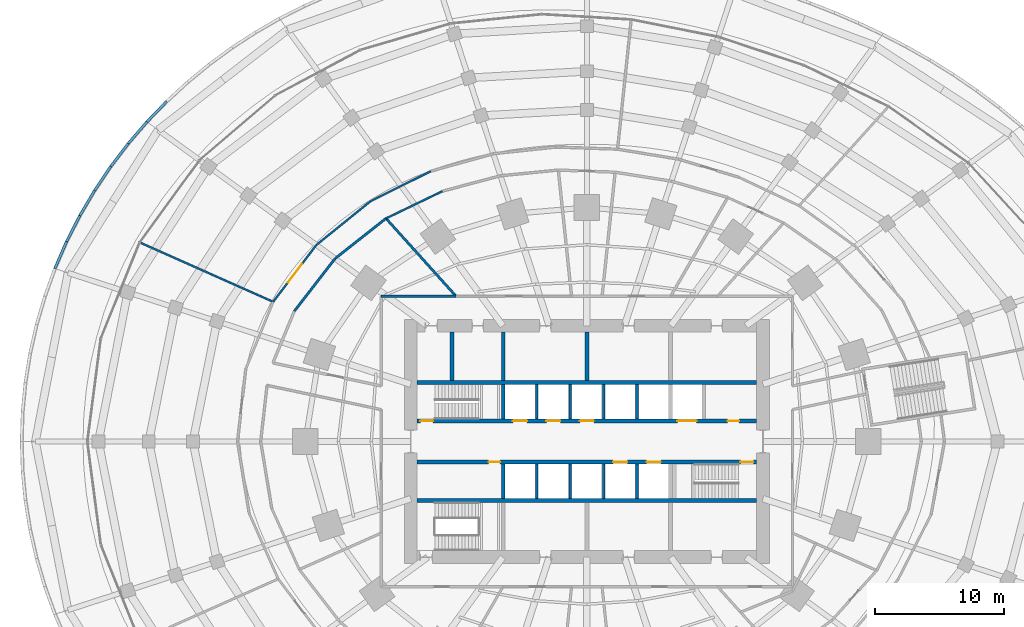
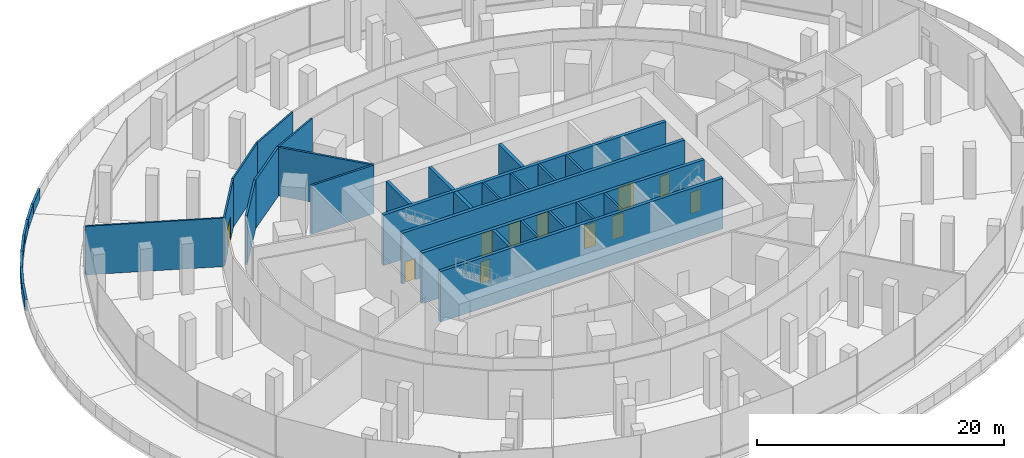
# One storey, part 24 of 31: 33 walls, 11 doors, 11 openings.
"""IFC4 building model written with IfcOpenShell, lengths in metres."""

from ifc_helpers import new_model, si_unit, direction, frame, frame_2d, origin, place, context, subcontext, project, spatial, rectangle, extrude, material, layer, layer_set, type_object, element, fill, save


model = new_model("IFC4")

# Units and contexts
model_context = context("Model", 3, precision=1e-05, world=origin(), true_north=direction((0.0, 1.0)))
body_context = subcontext(model_context, "Body", "Model", "MODEL_VIEW")
ifc_project = project(units=[si_unit("LENGTHUNIT", "METRE"), si_unit("AREAUNIT", "SQUARE_METRE"), si_unit("VOLUMEUNIT", "CUBIC_METRE"), si_unit("PLANEANGLEUNIT", "RADIAN"), si_unit("MASSUNIT", "GRAM", prefix="KILO")], contexts=[model_context])

# Site, building, storey
site_placement = place(None, origin())
site = spatial("IfcSite", under=ifc_project, at=site_placement, CompositionType="ELEMENT")
building_placement = place(site_placement, origin())
building = spatial("IfcBuilding", under=site, at=building_placement, Name="Marramba Exchange Tower", CompositionType="ELEMENT")
storey_placement = place(building_placement, frame((0.0, 0.0, 5.60009765625)))
storey = spatial("IfcBuildingStorey", under=building, at=storey_placement, Name="L01", CompositionType="ELEMENT", Elevation=5.60009765625)

# Walls
ifc_material_1 = material(Name="Concrete N50", Category="concrete")
ifc_layer_1 = layer(ifc_material_1, 0.199951171875)
ifc_layer_set_1 = layer_set([ifc_layer_1], Name="Core shaft wall 200")
wall_type_1 = type_object("IfcWallType", Name="Core shaft wall 200", PredefinedType="SHEAR", material=ifc_layer_set_1)
for number, where, z_axis, x_axis, name in (
    (1, (-3.89990234375, 1.75, 0.0), (0.0, 0.0, 1.0), (0.0, 1.0, 0.0), "Core wall SHN1 L01"),
    (2, (-1.300048828125, 1.75, 0.0), (0.0, 0.0, 1.0), (0.0, 1.0, 0.0), "Core wall SHN2 L01"),
    (3, (1.300048828125, 1.75, 0.0), (0.0, 0.0, 1.0), (0.0, 1.0, 0.0), "Core wall SHN3 L01"),
    (4, (3.89990234375, 1.75, 0.0), (0.0, 0.0, 1.0), (0.0, 1.0, 0.0), "Core wall SHN4 L01"),
    (5, (-3.89990234375, -1.75, 0.0), (0.0, 0.0, 1.0), (0.0, -1.0, 0.0), "Core wall SHS1 L01"),
    (6, (-1.300048828125, -1.75, 0.0), (0.0, 0.0, 1.0), (0.0, -1.0, 0.0), "Core wall SHS2 L01"),
    (7, (1.300048828125, -1.75, 0.0), (0.0, 0.0, 1.0), (0.0, -1.0, 0.0), "Core wall SHS3 L01"),
    (8, (3.89990234375, -1.75, 0.0), (0.0, 0.0, 1.0), (0.0, -1.0, 0.0), "Core wall SHS4 L01"),
):
    element("IfcWall", number, at=place(storey_placement, frame(where, z_axis=z_axis, x_axis=x_axis)), inside=storey, type_object=wall_type_1, Name=name, PredefinedType="SHEAR", context=body_context, shape_type="SweptSolid", body=[
        extrude(rectangle(XDim=2.699951171875, YDim=0.199951171875, at=frame_2d((1.35009765625, 0.0))), origin(), (0.0, 0.0, 1.0), 5.0),
    ])

# Wall, openings, doors
ifc_layer_2 = layer(ifc_material_1, 0.300048828125)
ifc_layer_set_2 = layer_set([ifc_layer_2], Name="Core wall 300")
wall_type_2 = type_object("IfcWallType", Name="Core wall 300", PredefinedType="SHEAR", material=ifc_layer_set_2)
wall_1_placement = place(storey_placement, frame((-13.199951171875, 1.60009765625, 0.0), z_axis=(0.0, 0.0, 1.0), x_axis=(1.0, 0.0, 0.0)))
wall_1 = element("IfcWall", 9, at=wall_1_placement, inside=storey, type_object=wall_type_2, Name="Core wall LN L01", PredefinedType="SHEAR", context=body_context, shape_type="SweptSolid", body=[
    extrude(rectangle(XDim=26.39990234375, YDim=0.300048828125, at=frame_2d((13.199951171875, 0.0))), origin(), (0.0, 0.0, 1.0), 5.0),
])
opening_1_placement = place(wall_1_placement, frame((0.25, 0.0, 0.0)))
opening_1 = element("IfcOpeningElement", 10, at=opening_1_placement, cuts=wall_1, Name="Opening D2", PredefinedType="OPENING", context=body_context, shape_type="SweptSolid", body=[
    extrude(rectangle(XDim=1.0, YDim=2.10009765625, at=frame_2d((0.5, 1.050048828125))), frame((0.0, 0.159912109375, 0.0), z_axis=(0.0, -1.0, 0.0), x_axis=(1.0, 0.0, 0.0)), (0.0, 0.0, 1.0), 0.320068359375),
])
opening_2_placement = place(wall_1_placement, frame((20.25, 0.0, 0.0)))
opening_2 = element("IfcOpeningElement", 11, at=opening_2_placement, cuts=wall_1, Name="Opening LD3", PredefinedType="OPENING", context=body_context, shape_type="SweptSolid", body=[
    extrude(rectangle(XDim=1.5, YDim=2.39990234375, at=frame_2d((0.75, 1.199951171875))), frame((0.0, 0.159912109375, 0.0), z_axis=(0.0, -1.0, 0.0), x_axis=(1.0, 0.0, 0.0)), (0.0, 0.0, 1.0), 0.320068359375),
])
opening_3_placement = place(wall_1_placement, frame((7.449951171875, 0.0, 0.0)))
opening_3 = element("IfcOpeningElement", 12, at=opening_3_placement, cuts=wall_1, Name="Opening LD1", PredefinedType="OPENING", context=body_context, shape_type="SweptSolid", body=[
    extrude(rectangle(XDim=1.10009765625, YDim=2.300048828125, at=frame_2d((0.550048828125, 1.14990234375))), frame((0.0, 0.159912109375, 0.0), z_axis=(0.0, -1.0, 0.0), x_axis=(1.0, 0.0, 0.0)), (0.0, 0.0, 1.0), 0.320068359375),
])
opening_4_placement = place(wall_1_placement, frame((10.050048828125, 0.0, 0.0)))
opening_4 = element("IfcOpeningElement", 13, at=opening_4_placement, cuts=wall_1, Name="Opening LD1", PredefinedType="OPENING", context=body_context, shape_type="SweptSolid", body=[
    extrude(rectangle(XDim=1.10009765625, YDim=2.300048828125, at=frame_2d((0.550048828125, 1.14990234375))), frame((0.0, 0.159912109375, 0.0), z_axis=(0.0, -1.0, 0.0), x_axis=(1.0, 0.0, 0.0)), (0.0, 0.0, 1.0), 0.320068359375),
])
opening_5_placement = place(wall_1_placement, frame((12.64990234375, 0.0, 0.0)))
opening_5 = element("IfcOpeningElement", 14, at=opening_5_placement, cuts=wall_1, Name="Opening LD1", PredefinedType="OPENING", context=body_context, shape_type="SweptSolid", body=[
    extrude(rectangle(XDim=1.10009765625, YDim=2.300048828125, at=frame_2d((0.550048828125, 1.14990234375))), frame((0.0, 0.159912109375, 0.0), z_axis=(0.0, -1.0, 0.0), x_axis=(1.0, 0.0, 0.0)), (0.0, 0.0, 1.0), 0.320068359375),
])
opening_6_placement = place(wall_1_placement, frame((24.14990234375, 0.0, 0.0)))
opening_6 = element("IfcOpeningElement", 15, at=opening_6_placement, cuts=wall_1, Name="Opening D5", PredefinedType="OPENING", context=body_context, shape_type="SweptSolid", body=[
    extrude(rectangle(XDim=0.89990234375, YDim=2.10009765625, at=frame_2d((0.449951171875, 1.050048828125))), frame((0.0, 0.159912109375, 0.0), z_axis=(0.0, -1.0, 0.0), x_axis=(1.0, 0.0, 0.0)), (0.0, 0.0, 1.0), 0.320068359375),
])
ifc_material_2 = material(Name="Steel-framed door", Category="steel")
door_type_1 = type_object("IfcDoorType", Name="Goods lift landing door 1500x2400", OperationType="SLIDING_TO_LEFT", PredefinedType="DOOR", material=ifc_material_2)
door_1_placement = place(opening_2_placement, origin())
door_1 = element("IfcDoor", 16, at=door_1_placement, inside=storey, type_object=door_type_1, Name="GL1 landing door L01", OperationType="SLIDING_TO_LEFT", OverallHeight=2.39990234375, OverallWidth=1.5, PredefinedType="DOOR", context=body_context, shape_type="SweptSolid", body=[
    extrude(rectangle(XDim=1.5, YDim=2.39990234375, at=frame_2d((0.75, 1.199951171875))), frame((0.0, 0.02490234375, 0.0), z_axis=(0.0, -1.0, 0.0), x_axis=(1.0, 0.0, 0.0)), (0.0, 0.0, 1.0), 0.050048828125),
])
fill(opening_2, door_1)
door_type_2 = type_object("IfcDoorType", Name="Lift landing door 1100x2300", OperationType="SLIDING_TO_LEFT", PredefinedType="DOOR", material=ifc_material_2)
door_2_placement = place(opening_3_placement, origin())
door_2 = element("IfcDoor", 17, at=door_2_placement, inside=storey, type_object=door_type_2, Name="LA1 landing door L01", OperationType="SLIDING_TO_LEFT", OverallHeight=2.300048828125, OverallWidth=1.10009765625, PredefinedType="DOOR", context=body_context, shape_type="SweptSolid", body=[
    extrude(rectangle(XDim=1.10009765625, YDim=2.300048828125, at=frame_2d((0.550048828125, 1.14990234375))), frame((0.0, 0.02490234375, 0.0), z_axis=(0.0, -1.0, 0.0), x_axis=(1.0, 0.0, 0.0)), (0.0, 0.0, 1.0), 0.050048828125),
])
fill(opening_3, door_2)
door_3_placement = place(opening_4_placement, origin())
door_3 = element("IfcDoor", 18, at=door_3_placement, inside=storey, type_object=door_type_2, Name="LA2 landing door L01", OperationType="SLIDING_TO_LEFT", OverallHeight=2.300048828125, OverallWidth=1.10009765625, PredefinedType="DOOR", context=body_context, shape_type="SweptSolid", body=[
    extrude(rectangle(XDim=1.10009765625, YDim=2.300048828125, at=frame_2d((0.550048828125, 1.14990234375))), frame((0.0, 0.02490234375, 0.0), z_axis=(0.0, -1.0, 0.0), x_axis=(1.0, 0.0, 0.0)), (0.0, 0.0, 1.0), 0.050048828125),
])
fill(opening_4, door_3)
door_4_placement = place(opening_5_placement, origin())
door_4 = element("IfcDoor", 19, at=door_4_placement, inside=storey, type_object=door_type_2, Name="LA3 landing door L01", OperationType="SLIDING_TO_RIGHT", OverallHeight=2.300048828125, OverallWidth=1.10009765625, PredefinedType="DOOR", context=body_context, shape_type="SweptSolid", body=[
    extrude(rectangle(XDim=1.10009765625, YDim=2.300048828125, at=frame_2d((0.550048828125, 1.14990234375))), frame((0.0, 0.02490234375, 0.0), z_axis=(0.0, -1.0, 0.0), x_axis=(1.0, 0.0, 0.0)), (0.0, 0.0, 1.0), 0.050048828125),
])
fill(opening_5, door_4)
door_type_3 = type_object("IfcDoorType", Name="Service door 900x2100", OperationType="SINGLE_SWING_LEFT", PredefinedType="DOOR", material=ifc_material_2)
door_5_placement = place(opening_6_placement, origin())
door_5 = element("IfcDoor", 20, at=door_5_placement, inside=storey, type_object=door_type_3, Name="D5 riser L01", OperationType="SINGLE_SWING_RIGHT", OverallHeight=2.10009765625, OverallWidth=0.89990234375, PredefinedType="DOOR", context=body_context, shape_type="SweptSolid", body=[
    extrude(rectangle(XDim=0.89990234375, YDim=2.10009765625, at=frame_2d((0.449951171875, 1.050048828125))), frame((0.0, 0.02490234375, 0.0), z_axis=(0.0, -1.0, 0.0), x_axis=(1.0, 0.0, 0.0)), (0.0, 0.0, 1.0), 0.050048828125),
])
fill(opening_6, door_5)
door_type_4 = type_object("IfcDoorType", Name="Stair door 1000x2100", OperationType="SINGLE_SWING_LEFT", PredefinedType="DOOR", material=ifc_material_2)
door_6_placement = place(opening_1_placement, origin())
door_6 = element("IfcDoor", 21, at=door_6_placement, inside=storey, type_object=door_type_4, Name="D2 stair ST1 L01", OperationType="SINGLE_SWING_LEFT", OverallHeight=2.10009765625, OverallWidth=1.0, PredefinedType="DOOR", context=body_context, shape_type="SweptSolid", body=[
    extrude(rectangle(XDim=1.0, YDim=2.10009765625, at=frame_2d((0.5, 1.050048828125))), frame((0.0, 0.02490234375, 0.0), z_axis=(0.0, -1.0, 0.0), x_axis=(1.0, 0.0, 0.0)), (0.0, 0.0, 1.0), 0.050048828125),
])
fill(opening_1, door_6)

wall_2_placement = place(storey_placement, frame((-13.199951171875, -1.60009765625, 0.0), z_axis=(0.0, 0.0, 1.0), x_axis=(1.0, 0.0, 0.0)))
wall_2 = element("IfcWall", 22, at=wall_2_placement, inside=storey, type_object=wall_type_2, Name="Core wall LS L01", PredefinedType="SHEAR", context=body_context, shape_type="SweptSolid", body=[
    extrude(rectangle(XDim=26.39990234375, YDim=0.300048828125, at=frame_2d((13.199951171875, 0.0))), origin(), (0.0, 0.0, 1.0), 5.0),
])
opening_7_placement = place(wall_2_placement, frame((25.14990234375, 0.0, 0.0)))
opening_7 = element("IfcOpeningElement", 23, at=opening_7_placement, cuts=wall_2, Name="Opening D2", PredefinedType="OPENING", context=body_context, shape_type="SweptSolid", body=[
    extrude(rectangle(XDim=1.0, YDim=2.10009765625, at=frame_2d((0.5, 1.050048828125))), frame((0.0, 0.159912109375, 0.0), z_axis=(0.0, -1.0, 0.0), x_axis=(1.0, 0.0, 0.0)), (0.0, 0.0, 1.0), 0.320068359375),
])
opening_8_placement = place(wall_2_placement, frame((15.25, 0.0, 0.0)))
opening_8 = element("IfcOpeningElement", 24, at=opening_8_placement, cuts=wall_2, Name="Opening LD2", PredefinedType="OPENING", context=body_context, shape_type="SweptSolid", body=[
    extrude(rectangle(XDim=1.10009765625, YDim=2.300048828125, at=frame_2d((0.550048828125, 1.14990234375))), frame((0.0, 0.159912109375, 0.0), z_axis=(0.0, -1.0, 0.0), x_axis=(1.0, 0.0, 0.0)), (0.0, 0.0, 1.0), 0.320068359375),
])
opening_9_placement = place(wall_2_placement, frame((17.85009765625, 0.0, 0.0)))
opening_9 = element("IfcOpeningElement", 25, at=opening_9_placement, cuts=wall_2, Name="Opening LD2", PredefinedType="OPENING", context=body_context, shape_type="SweptSolid", body=[
    extrude(rectangle(XDim=1.10009765625, YDim=2.300048828125, at=frame_2d((0.550048828125, 1.14990234375))), frame((0.0, 0.159912109375, 0.0), z_axis=(0.0, -1.0, 0.0), x_axis=(1.0, 0.0, 0.0)), (0.0, 0.0, 1.0), 0.320068359375),
])
opening_10_placement = place(wall_2_placement, frame((5.550048828125, 0.0, 0.0)))
opening_10 = element("IfcOpeningElement", 26, at=opening_10_placement, cuts=wall_2, Name="Opening D5", PredefinedType="OPENING", context=body_context, shape_type="SweptSolid", body=[
    extrude(rectangle(XDim=0.89990234375, YDim=2.10009765625, at=frame_2d((0.449951171875, 1.050048828125))), frame((0.0, 0.159912109375, 0.0), z_axis=(0.0, -1.0, 0.0), x_axis=(1.0, 0.0, 0.0)), (0.0, 0.0, 1.0), 0.320068359375),
])
door_type_5 = type_object("IfcDoorType", Name="Emergency lift landing door 1100x2300", OperationType="SLIDING_TO_LEFT", PredefinedType="DOOR", material=ifc_material_2)
door_7_placement = place(opening_8_placement, frame((1.10009765625, 0.0, 0.0), z_axis=(0.0, 0.0, 1.0), x_axis=(-1.0, 0.0, 0.0)))
door_7 = element("IfcDoor", 27, at=door_7_placement, inside=storey, type_object=door_type_5, Name="FL1 landing door L01", OperationType="SLIDING_TO_RIGHT", OverallHeight=2.300048828125, OverallWidth=1.10009765625, PredefinedType="DOOR", context=body_context, shape_type="SweptSolid", body=[
    extrude(rectangle(XDim=1.10009765625, YDim=2.300048828125, at=frame_2d((0.550048828125, 1.14990234375))), frame((0.0, 0.025146484375, 0.0), z_axis=(0.0, -1.0, 0.0), x_axis=(1.0, 0.0, 0.0)), (0.0, 0.0, 1.0), 0.050048828125),
])
fill(opening_8, door_7)
door_8_placement = place(opening_9_placement, frame((1.10009765625, 0.0, 0.0), z_axis=(0.0, 0.0, 1.0), x_axis=(-1.0, 0.0, 0.0)))
door_8 = element("IfcDoor", 28, at=door_8_placement, inside=storey, type_object=door_type_5, Name="FL2 landing door L01", OperationType="SLIDING_TO_LEFT", OverallHeight=2.300048828125, OverallWidth=1.10009765625, PredefinedType="DOOR", context=body_context, shape_type="SweptSolid", body=[
    extrude(rectangle(XDim=1.10009765625, YDim=2.300048828125, at=frame_2d((0.550048828125, 1.14990234375))), frame((0.0, 0.025146484375, 0.0), z_axis=(0.0, -1.0, 0.0), x_axis=(1.0, 0.0, 0.0)), (0.0, 0.0, 1.0), 0.050048828125),
])
fill(opening_9, door_8)
door_9_placement = place(opening_10_placement, frame((0.89990234375, 0.0, 0.0), z_axis=(0.0, 0.0, 1.0), x_axis=(-1.0, 0.0, 0.0)))
door_9 = element("IfcDoor", 29, at=door_9_placement, inside=storey, type_object=door_type_3, Name="D5 electrical riser L01", OperationType="SINGLE_SWING_LEFT", OverallHeight=2.10009765625, OverallWidth=0.89990234375, PredefinedType="DOOR", context=body_context, shape_type="SweptSolid", body=[
    extrude(rectangle(XDim=0.89990234375, YDim=2.10009765625, at=frame_2d((0.449951171875, 1.050048828125))), frame((0.0, 0.025146484375, 0.0), z_axis=(0.0, -1.0, 0.0), x_axis=(1.0, 0.0, 0.0)), (0.0, 0.0, 1.0), 0.050048828125),
])
fill(opening_10, door_9)
door_10_placement = place(opening_7_placement, frame((1.0, 0.0, 0.0), z_axis=(0.0, 0.0, 1.0), x_axis=(-1.0, 0.0, 0.0)))
door_10 = element("IfcDoor", 30, at=door_10_placement, inside=storey, type_object=door_type_4, Name="D2 stair ST2 L01", OperationType="SINGLE_SWING_LEFT", OverallHeight=2.10009765625, OverallWidth=1.0, PredefinedType="DOOR", context=body_context, shape_type="SweptSolid", body=[
    extrude(rectangle(XDim=1.0, YDim=2.10009765625, at=frame_2d((0.5, 1.050048828125))), frame((0.0, 0.025146484375, 0.0), z_axis=(0.0, -1.0, 0.0), x_axis=(1.0, 0.0, 0.0)), (0.0, 0.0, 1.0), 0.050048828125),
])
fill(opening_7, door_10)

# Walls
for number, where, z_axis, x_axis, name in (
    (31, (-13.199951171875, 4.60009765625, 0.0), (0.0, 0.0, 1.0), (1.0, 0.0, 0.0), "Core wall BN L01"),
    (32, (-13.199951171875, -4.60009765625, 0.0), (0.0, 0.0, 1.0), (1.0, 0.0, 0.0), "Core wall BS L01"),
):
    element("IfcWall", number, at=place(storey_placement, frame(where, z_axis=z_axis, x_axis=x_axis)), inside=storey, type_object=wall_type_2, Name=name, PredefinedType="SHEAR", context=body_context, shape_type="SweptSolid", body=[
        extrude(rectangle(XDim=26.39990234375, YDim=0.300048828125, at=frame_2d((13.199951171875, 0.0))), origin(), (0.0, 0.0, 1.0), 5.0),
    ])
wall_3_placement = place(storey_placement, frame((-6.5, 1.75, 0.0), z_axis=(0.0, 0.0, 1.0), x_axis=(0.0, 1.0, 0.0)))
element("IfcWall", 33, at=wall_3_placement, inside=storey, type_object=wall_type_2, Name="Core wall X0Na L01", PredefinedType="SHEAR", context=body_context, shape_type="SweptSolid", body=[
    extrude(rectangle(XDim=2.699951171875, YDim=0.300048828125, at=frame_2d((1.35009765625, 0.0))), origin(), (0.0, 0.0, 1.0), 5.0),
])
for number, where, z_axis, x_axis, name in (
    (34, (-6.5, 4.75, 0.0), (0.0, 0.0, 1.0), (0.0, 1.0, 0.0), "Core wall X0Nb L01"),
    (35, (0.0, 4.75, 0.0), (0.0, 0.0, 1.0), (0.0, 1.0, 0.0), "Core wall MN L01"),
):
    element("IfcWall", number, at=place(storey_placement, frame(where, z_axis=z_axis, x_axis=x_axis)), inside=storey, type_object=wall_type_2, Name=name, PredefinedType="SHEAR", context=body_context, shape_type="SweptSolid", body=[
        extrude(rectangle(XDim=3.75, YDim=0.300048828125, at=frame_2d((1.875, 0.0))), origin(), (0.0, 0.0, 1.0), 5.0),
    ])
wall_4_placement = place(storey_placement, frame((-6.5, -1.75, 0.0), z_axis=(0.0, 0.0, 1.0), x_axis=(0.0, -1.0, 0.0)))
element("IfcWall", 36, at=wall_4_placement, inside=storey, type_object=wall_type_2, Name="Core wall X0Sa L01", PredefinedType="SHEAR", context=body_context, shape_type="SweptSolid", body=[
    extrude(rectangle(XDim=2.699951171875, YDim=0.300048828125, at=frame_2d((1.35009765625, 0.0))), origin(), (0.0, 0.0, 1.0), 5.0),
])
wall_5_placement = place(storey_placement, frame((-10.5, 4.75, 0.0), z_axis=(0.0, 0.0, 1.0), x_axis=(0.0, 1.0, 0.0)))
element("IfcWall", 37, at=wall_5_placement, inside=storey, type_object=wall_type_2, Name="Core wall WD L01", PredefinedType="SHEAR", context=body_context, shape_type="SweptSolid", body=[
    extrude(rectangle(XDim=3.75, YDim=0.300048828125, at=frame_2d((1.875, 0.0))), origin(), (0.0, 0.0, 1.0), 5.0),
])
ifc_material_3 = material(Name="Core-filled concrete blockwork, rendered", Category="masonry")
ifc_layer_3 = layer(ifc_material_3, 0.18994140625)
ifc_layer_set_3 = layer_set([ifc_layer_3], Name="Equipment room wall 190")
wall_type_3 = type_object("IfcWallType", Name="Equipment room wall 190", PredefinedType="SOLIDWALL", material=ifc_layer_set_3)
wall_6_placement = place(storey_placement, frame((-10.174560546875, 11.300048828125, 0.0), z_axis=(0.0, 0.0, 1.0), x_axis=(-0.669125325145, 0.74314958067, 0.0)))
element("IfcWall", 38, at=wall_6_placement, inside=storey, type_object=wall_type_3, Name="Equipment room wall L01 87", PredefinedType="SOLIDWALL", context=body_context, shape_type="SweptSolid", body=[
    extrude(rectangle(XDim=8.146240234375, YDim=0.18994140625, at=frame_2d((4.0732421875, 0.0))), origin(), (0.0, 0.0, 1.0), 4.7998046875),
])
wall_7_placement = place(storey_placement, frame((-19.587158203125, 14.230712890625, 0.0), z_axis=(0.0, 0.0, 1.0), x_axis=(0.785301291608, 0.619113787117, 0.0)))
element("IfcWall", 39, at=wall_7_placement, inside=storey, type_object=wall_type_3, Name="Equipment room wall L01 89", PredefinedType="SOLIDWALL", context=body_context, shape_type="SweptSolid", body=[
    extrude(rectangle(XDim=5.044677734375, YDim=0.18994140625, at=frame_2d((2.5224609375, 0.0))), origin(), (0.0, 0.0, 1.0), 4.7998046875),
])
wall_8_placement = place(storey_placement, frame((-10.174560546875, 11.300048828125, 0.0), z_axis=(0.0, 0.0, 1.0), x_axis=(-1.0, 0.0, 0.0)))
element("IfcWall", 40, at=wall_8_placement, inside=storey, type_object=wall_type_3, Name="Equipment room wall L01 90", PredefinedType="SOLIDWALL", context=body_context, shape_type="SweptSolid", body=[
    extrude(rectangle(XDim=5.825439453125, YDim=0.18994140625, at=frame_2d((2.91259765625, 0.0))), origin(), (0.0, 0.0, 1.0), 4.7998046875),
])
wall_9_placement = place(storey_placement, frame((-22.760498046875, 10.133544921875, 0.0), z_axis=(0.0, 0.0, 1.0), x_axis=(0.612334708693, 0.790598636812, 0.0)))
element("IfcWall", 41, at=wall_9_placement, inside=storey, type_object=wall_type_3, Name="Equipment room wall L01 92", PredefinedType="SOLIDWALL", context=body_context, shape_type="SweptSolid", body=[
    extrude(rectangle(XDim=5.182373046875, YDim=0.18994140625, at=frame_2d((2.59130859375, 0.0))), origin(), (0.0, 0.0, 1.0), 4.7998046875),
])
ifc_material_4 = material(Name="Concrete N40", Category="concrete")
ifc_layer_4 = layer(ifc_material_4, 0.199951171875)
ifc_layer_set_4 = layer_set([ifc_layer_4], Name="Roof parapet 200")
wall_type_4 = type_object("IfcWallType", Name="Roof parapet 200", PredefinedType="PARAPET", material=ifc_layer_set_4)
wall_10_placement = place(storey_placement, frame((-32.68115234375, 26.464599609375, 0.0), z_axis=(0.0, 0.0, 1.0), x_axis=(-0.69491987314, -0.719087178244, 0.0)))
element("IfcWall", 42, at=wall_10_placement, inside=storey, type_object=wall_type_4, Name="Parapet L01 bay 08", PredefinedType="PARAPET", context=body_context, shape_type="SweptSolid", body=[
    extrude(rectangle(XDim=2.222412109375, YDim=0.199951171875, at=frame_2d((1.111328125, 0.0))), origin(), (0.0, 0.0, 1.0), 1.099853515625),
])
wall_11_placement = place(storey_placement, frame((-34.2255859375, 24.866455078125, 0.0), z_axis=(0.0, 0.0, 1.0), x_axis=(-0.652005349453, -0.758214365654, 0.0)))
element("IfcWall", 43, at=wall_11_placement, inside=storey, type_object=wall_type_4, Name="Parapet L01 bay 09", PredefinedType="PARAPET", context=body_context, shape_type="SweptSolid", body=[
    extrude(rectangle(XDim=2.234375, YDim=0.199951171875, at=frame_2d((1.1171875, 0.0))), origin(), (0.0, 0.0, 1.0), 1.099853515625),
])
wall_12_placement = place(storey_placement, frame((-35.682373046875, 23.17236328125, 0.0), z_axis=(0.0, 0.0, 1.0), x_axis=(-0.606383916635, -0.795172022675, 0.0)))
element("IfcWall", 44, at=wall_12_placement, inside=storey, type_object=wall_type_4, Name="Parapet L01 bay 09", PredefinedType="PARAPET", context=body_context, shape_type="SweptSolid", body=[
    extrude(rectangle(XDim=2.244873046875, YDim=0.199951171875, at=frame_2d((1.12255859375, 0.0))), origin(), (0.0, 0.0, 1.0), 1.099853515625),
])
wall_13_placement = place(storey_placement, frame((-37.043701171875, 21.38720703125, 0.0), z_axis=(0.0, 0.0, 1.0), x_axis=(-0.557993733425, -0.82984516234, 0.0)))
element("IfcWall", 45, at=wall_13_placement, inside=storey, type_object=wall_type_4, Name="Parapet L01 bay 09", PredefinedType="PARAPET", context=body_context, shape_type="SweptSolid", body=[
    extrude(rectangle(XDim=2.255126953125, YDim=0.199951171875, at=frame_2d((1.12744140625, 0.0))), origin(), (0.0, 0.0, 1.0), 1.099853515625),
])
wall_14_placement = place(storey_placement, frame((-38.302001953125, 19.515869140625, 0.0), z_axis=(0.0, 0.0, 1.0), x_axis=(-0.507199173793, -0.861828868224, 0.0)))
element("IfcWall", 46, at=wall_14_placement, inside=storey, type_object=wall_type_4, Name="Parapet L01 bay 09", PredefinedType="PARAPET", context=body_context, shape_type="SweptSolid", body=[
    extrude(rectangle(XDim=2.26416015625, YDim=0.199951171875, at=frame_2d((1.132080078125, 0.0))), origin(), (0.0, 0.0, 1.0), 1.099853515625),
])
wall_15_placement = place(storey_placement, frame((-39.450439453125, 17.564453125, 0.0), z_axis=(0.0, 0.0, 1.0), x_axis=(-0.453904859471, -0.891050154901, 0.0)))
element("IfcWall", 47, at=wall_15_placement, inside=storey, type_object=wall_type_4, Name="Parapet L01 bay 09", PredefinedType="PARAPET", context=body_context, shape_type="SweptSolid", body=[
    extrude(rectangle(XDim=2.2724609375, YDim=0.199951171875, at=frame_2d((1.13623046875, 0.0))), origin(), (0.0, 0.0, 1.0), 1.099853515625),
])
wall_16_placement = place(storey_placement, frame((-40.48193359375, 15.53955078125, 0.0), z_axis=(0.0, 0.0, 1.0), x_axis=(-0.398463745058, -0.917184083962, 0.0)))
element("IfcWall", 48, at=wall_16_placement, inside=storey, type_object=wall_type_4, Name="Parapet L01 bay 09", PredefinedType="PARAPET", context=body_context, shape_type="SweptSolid", body=[
    extrude(rectangle(XDim=2.27978515625, YDim=0.199951171875, at=frame_2d((1.139892578125, 0.0))), origin(), (0.0, 0.0, 1.0), 1.099853515625),
])
ifc_material_5 = material(Name="Fire-rated plasterboard on steel studs, acoustic insulation", Category="steel")
ifc_layer_5 = layer(ifc_material_5, 0.14990234375)
ifc_layer_set_5 = layer_set([ifc_layer_5], Name="Tenancy wall 150")
wall_type_5 = type_object("IfcWallType", Name="Tenancy wall 150", PredefinedType="PARTITIONING", material=ifc_layer_set_5)
wall_17_placement = place(storey_placement, frame((-12.14111328125, 21.02880859375, 0.0), z_axis=(0.0, 0.0, 1.0), x_axis=(-0.894985683097, -0.446094863287, 0.0)))
element("IfcWall", 49, at=wall_17_placement, inside=storey, type_object=wall_type_5, Name="Tenancy wall L01 85", PredefinedType="PARTITIONING", context=body_context, shape_type="SweptSolid", body=[
    extrude(rectangle(XDim=5.2392578125, YDim=0.14990234375, at=frame_2d((2.61962890625, 0.0))), origin(), (0.0, 0.0, 1.0), 4.7998046875),
])
wall_18_placement = place(storey_placement, frame((-15.62548828125, 17.35400390625, 0.0), z_axis=(0.0, 0.0, 1.0), x_axis=(0.900607821676, 0.434632662758, 0.0)))
element("IfcWall", 50, at=wall_18_placement, inside=storey, type_object=wall_type_5, Name="Tenancy wall L01 86", PredefinedType="PARTITIONING", context=body_context, shape_type="SweptSolid", body=[
    extrude(rectangle(XDim=4.868408203125, YDim=0.14990234375, at=frame_2d((2.43408203125, 0.0))), origin(), (0.0, 0.0, 1.0), 4.7998046875),
])
wall_19_placement = place(storey_placement, frame((-16.830078125, 18.691650390625, 0.0), z_axis=(0.0, 0.0, 1.0), x_axis=(-0.77794880786, -0.628327663206, 0.0)))
element("IfcWall", 51, at=wall_19_placement, inside=storey, type_object=wall_type_5, Name="Tenancy wall L01 88", PredefinedType="PARTITIONING", context=body_context, shape_type="SweptSolid", body=[
    extrude(rectangle(XDim=5.415771484375, YDim=0.14990234375, at=frame_2d((2.7080078125, 0.0))), origin(), (0.0, 0.0, 1.0), 4.7998046875),
])

# Wall, opening, door
wall_20_placement = place(storey_placement, frame((-21.043212890625, 15.288818359375, 0.0), z_axis=(0.0, 0.0, 1.0), x_axis=(-0.605085496004, -0.79616050048, 0.0)))
wall_20 = element("IfcWall", 52, at=wall_20_placement, inside=storey, type_object=wall_type_5, Name="Tenancy wall L01 91", PredefinedType="PARTITIONING", context=body_context, shape_type="SweptSolid", body=[
    extrude(rectangle(XDim=5.555419921875, YDim=0.14990234375, at=frame_2d((2.77783203125, 0.0))), origin(), (0.0, 0.0, 1.0), 4.7998046875),
])
opening_11_placement = place(wall_20_placement, frame((1.85302734375, 0.0, 0.0)))
opening_11 = element("IfcOpeningElement", 53, at=opening_11_placement, cuts=wall_20, Name="Opening D18", PredefinedType="OPENING", context=body_context, shape_type="SweptSolid", body=[
    extrude(rectangle(XDim=1.800048828125, YDim=2.39990234375, at=frame_2d((0.89990234375, 1.199951171875))), frame((0.0, 0.0849609375, 0.0), z_axis=(0.0, -1.0, 0.0), x_axis=(1.0, 0.0, 0.0)), (0.0, 0.0, 1.0), 0.169921875),
])
door_type_6 = type_object("IfcDoorType", Name="Door pair 1800x2400", OperationType="DOUBLE_DOOR_SINGLE_SWING", PredefinedType="DOOR", material=ifc_material_2)
door_11_placement = place(opening_11_placement, origin())
door_11 = element("IfcDoor", 54, at=door_11_placement, inside=storey, type_object=door_type_6, Name="D18 Matching Engine Data Hall L01", OperationType="DOUBLE_DOOR_SINGLE_SWING", OverallHeight=2.39990234375, OverallWidth=1.800048828125, PredefinedType="DOOR", context=body_context, shape_type="SweptSolid", body=[
    extrude(rectangle(XDim=1.800048828125, YDim=2.39990234375, at=frame_2d((0.89990234375, 1.199951171875))), frame((0.0, 0.02490234375, 0.0), z_axis=(0.0, -1.0, 0.0), x_axis=(1.0, 0.0, 0.0)), (0.0, 0.0, 1.0), 0.050048828125),
])
fill(opening_11, door_11)

# Wall
wall_21_placement = place(storey_placement, frame((-24.40478515625, 10.86572265625, 0.0), z_axis=(0.0, 0.0, 1.0), x_axis=(-0.913545346695, 0.406736892268, 0.0)))
element("IfcWall", 55, at=wall_21_placement, inside=storey, type_object=wall_type_5, Name="Tenancy wall L01 94", PredefinedType="PARTITIONING", context=body_context, shape_type="SweptSolid", body=[
    extrude(rectangle(XDim=11.278564453125, YDim=0.14990234375, at=frame_2d((5.63916015625, 0.0))), origin(), (0.0, 0.0, 1.0), 4.7998046875),
])

save(model, "model.ifc")
